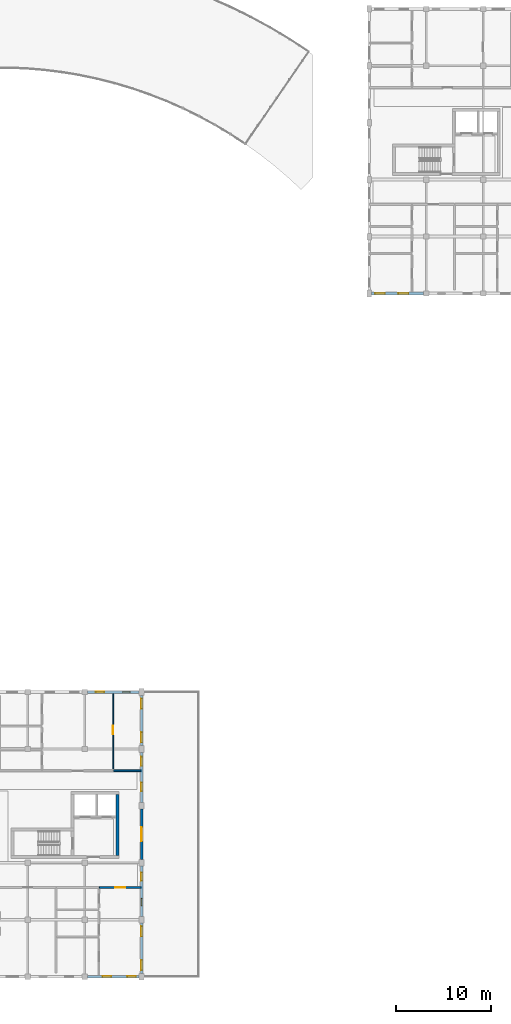
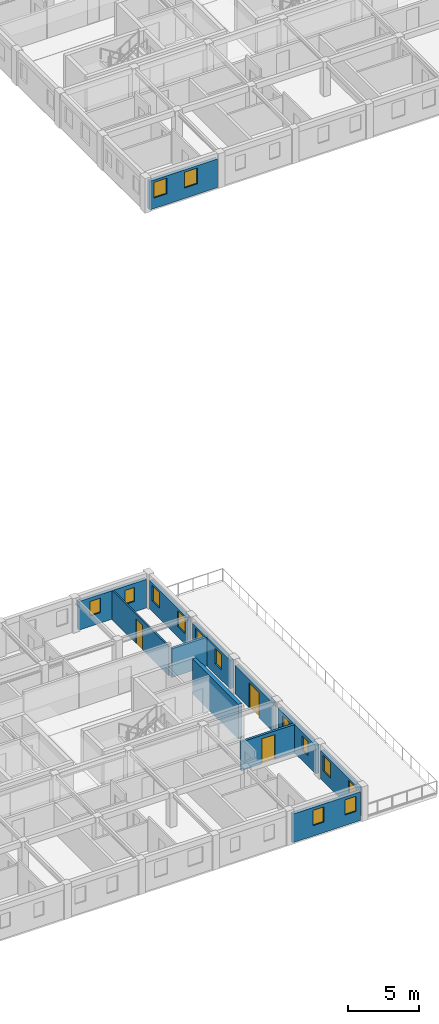
# One storey, part 39 of 58: 14 windows, 12 walls, 3 doors, 17 openings.
"""IFC4 building model written with IfcOpenShell, lengths in metres."""

from ifc_helpers import new_model, si_unit, direction, frame, frame_2d, origin, place, context, subcontext, project, spatial, rectangle, extrude, material, layer, layer_set, type_object, element, fill, save


model = new_model("IFC4")

# Units and contexts
model_context = context("Model", 3, precision=1e-05, world=origin(), true_north=direction((0.0, 1.0)))
body_context = subcontext(model_context, "Body", "Model", "MODEL_VIEW")
ifc_project = project(units=[si_unit("LENGTHUNIT", "METRE"), si_unit("AREAUNIT", "SQUARE_METRE"), si_unit("VOLUMEUNIT", "CUBIC_METRE"), si_unit("PLANEANGLEUNIT", "RADIAN"), si_unit("MASSUNIT", "GRAM", prefix="KILO"), si_unit("POWERUNIT", "WATT"), si_unit("THERMODYNAMICTEMPERATUREUNIT", "KELVIN")], contexts=[model_context])

# Site, building, storey
site_placement = place(None, origin())
site = spatial("IfcSite", under=ifc_project, at=site_placement, CompositionType="ELEMENT")
building_placement = place(site_placement, origin())
building = spatial("IfcBuilding", under=site, at=building_placement, Name="Ruvembo Vaulted Housing Court", CompositionType="ELEMENT")
storey_placement = place(building_placement, frame((0.0, 0.0, 20.5)))
storey = spatial("IfcBuildingStorey", under=building, at=storey_placement, Name="L06", CompositionType="ELEMENT", Elevation=20.5)

# Wall
ifc_material_1 = material(Name="Concrete C35/45", Category="concrete")
ifc_layer_1 = layer(ifc_material_1, 0.300048828125, Name="Concrete C35/45")
ifc_layer_set_1 = layer_set([ifc_layer_1], Name="Concrete C35/45")
wall_type_1 = type_object("IfcWallType", Name="WL-CORE-300", PredefinedType="SHEAR", material=ifc_layer_set_1)
wall_1_placement = place(storey_placement, frame((129.449951171875, 12.75, 0.0), z_axis=(0.0, 0.0, 1.0), x_axis=(0.0, 1.0, 0.0)))
element("IfcWall", 1, at=wall_1_placement, inside=storey, type_object=wall_type_1, Name="Core C2 L06 East Shear Wall", PredefinedType="SHEAR", context=body_context, shape_type="SweptSolid", body=[
    extrude(rectangle(XDim=6.449951171875, YDim=0.300048828125, at=frame_2d((3.22509765625, 0.0))), origin(), (0.0, 0.0, 1.0), 2.969970703125),
])

# Wall, opening, door
ifc_material_2 = material(Name="Concrete Blockwork 200", Category="masonry")
ifc_layer_2 = layer(ifc_material_2, 0.199951171875, Name="Concrete Blockwork 200")
ifc_layer_set_2 = layer_set([ifc_layer_2], Name="Concrete Blockwork 200")
wall_type_2 = type_object("IfcWallType", Name="WL-CORR-200", PredefinedType="SOLIDWALL", material=ifc_layer_set_2)
wall_2_placement = place(storey_placement, frame((127.5400390625, 9.39990234375, 0.0), z_axis=(0.0, 0.0, 1.0), x_axis=(1.0, 0.0, 0.0)))
wall_2 = element("IfcWall", 2, at=wall_2_placement, inside=storey, type_object=wall_type_2, Name="L06 Flat C-L06-S3 Entrance WL-INT-L06-01795", PredefinedType="SOLIDWALL", context=body_context, shape_type="SweptSolid", body=[
    extrude(rectangle(XDim=4.419921875, YDim=0.199951171875, at=frame_2d((2.2099609375, 0.0))), origin(), (0.0, 0.0, 1.0), 2.451904296875),
])
opening_1_placement = place(wall_2_placement, frame((1.68505859375, 0.0, 0.0)))
opening_1 = element("IfcOpeningElement", 3, at=opening_1_placement, cuts=wall_2, Name="Opening FD3", PredefinedType="OPENING", context=body_context, shape_type="SweptSolid", body=[
    extrude(rectangle(XDim=1.050048828125, YDim=2.14990234375, at=frame_2d((0.52490234375, 1.074951171875))), frame((0.0, 0.10986328125, 0.0), z_axis=(0.0, -1.0, 0.0), x_axis=(1.0, 0.0, 0.0)), (0.0, 0.0, 1.0), 0.219970703125),
])
ifc_material_3 = material(Name="FSC Hardwood and Engineered Timber", Category="wood")
door_type_1 = type_object("IfcDoorType", Name="DR-FLAT-1050x2150", OperationType="NOTDEFINED", PredefinedType="DOOR", material=ifc_material_3)
door_1_placement = place(opening_1_placement, origin())
door_1 = element("IfcDoor", 4, at=door_1_placement, inside=storey, type_object=door_type_1, Name="L06 Flat C-L06-S3 Entrance Door DR-INT-L06-01013", OperationType="SINGLE_SWING_LEFT", OverallHeight=2.14990234375, OverallWidth=1.050048828125, PredefinedType="DOOR", context=body_context, shape_type="SweptSolid", body=[
    extrude(rectangle(XDim=1.050048828125, YDim=2.14990234375, at=frame_2d((0.52490234375, 1.074951171875))), frame((0.0, 0.02490234375, 0.0), z_axis=(0.0, -1.0, 0.0), x_axis=(1.0, 0.0, 0.0)), (0.0, 0.0, 1.0), 0.050048828125),
])
fill(opening_1, door_1)

# Wall
wall_3_placement = place(storey_placement, frame((129.0400390625, 21.699951171875, 0.0), z_axis=(0.0, 0.0, 1.0), x_axis=(1.0, 0.0, 0.0)))
element("IfcWall", 5, at=wall_3_placement, inside=storey, type_object=wall_type_2, Name="L06 Flat C-L06-N2 Corridor Wall 2 WL-INT-L06-01818", PredefinedType="SOLIDWALL", context=body_context, shape_type="SweptSolid", body=[
    extrude(rectangle(XDim=2.919921875, YDim=0.199951171875, at=frame_2d((1.4599609375, 0.0))), origin(), (0.0, 0.0, 1.0), 2.451904296875),
])

# Wall, openings, windows
ifc_material_4 = material(Name="Rendered Masonry 270", Category="masonry")
ifc_layer_3 = layer(ifc_material_4, 0.27001953125, Name="Rendered Masonry 270")
ifc_layer_set_3 = layer_set([ifc_layer_3], Name="Rendered Masonry 270")
wall_type_3 = type_object("IfcWallType", Name="WL-EXT-270", PredefinedType="STANDARD", material=ifc_layer_set_3)
wall_4_placement = place(storey_placement, frame((126.27490234375, 0.0, 0.0), z_axis=(0.0, 0.0, 1.0), x_axis=(1.0, 0.0, 0.0)))
wall_4 = element("IfcWall", 6, at=wall_4_placement, inside=storey, type_object=wall_type_3, Name="Block C L06 Exterior Wall STREET #5", PredefinedType="STANDARD", context=body_context, shape_type="SweptSolid", body=[
    extrude(rectangle(XDim=5.47509765625, YDim=0.27001953125, at=frame_2d((2.737548828125, 0.0))), origin(), (0.0, 0.0, 1.0), 2.451904296875),
])
opening_2_placement = place(wall_4_placement, frame((1.614990234375, 0.0, 0.89990234375)))
opening_2 = element("IfcOpeningElement", 7, at=opening_2_placement, cuts=wall_4, Name="Opening W04", PredefinedType="OPENING", context=body_context, shape_type="SweptSolid", body=[
    extrude(rectangle(XDim=0.89990234375, YDim=1.300048828125, at=frame_2d((0.449951171875, 0.64990234375))), frame((0.0, 0.14501953125, 0.0), z_axis=(0.0, -1.0, 0.0), x_axis=(1.0, 0.0, 0.0)), (0.0, 0.0, 1.0), 0.2900390625),
])
opening_3_placement = place(wall_4_placement, frame((4.22509765625, 0.0, 0.89990234375)))
opening_3 = element("IfcOpeningElement", 8, at=opening_3_placement, cuts=wall_4, Name="Opening W04", PredefinedType="OPENING", context=body_context, shape_type="SweptSolid", body=[
    extrude(rectangle(XDim=0.89990234375, YDim=1.300048828125, at=frame_2d((0.449951171875, 0.64990234375))), frame((0.0, 0.14501953125, 0.0), z_axis=(0.0, -1.0, 0.0), x_axis=(1.0, 0.0, 0.0)), (0.0, 0.0, 1.0), 0.2900390625),
])
ifc_material_5 = material(Name="Double Solar-Control Glazing in Aluminium Frame", Category="aluminium")
window_type_1 = type_object("IfcWindowType", Name="WIN-0900x1300", PartitioningType="SINGLE_PANEL", PredefinedType="WINDOW", material=ifc_material_5)
window_1_placement = place(opening_2_placement, origin())
window_1 = element("IfcWindow", 9, at=window_1_placement, inside=storey, type_object=window_type_1, Name="Block C L06 Window #1334", OverallHeight=1.300048828125, OverallWidth=0.89990234375, PartitioningType="SINGLE_PANEL", PredefinedType="WINDOW", context=body_context, shape_type="SweptSolid", body=[
    extrude(rectangle(XDim=0.89990234375, YDim=1.300048828125, at=frame_2d((0.449951171875, 0.64990234375))), frame((0.0, 0.030029296875, 0.0), z_axis=(0.0, -1.0, 0.0), x_axis=(1.0, 0.0, 0.0)), (0.0, 0.0, 1.0), 0.06005859375),
])
fill(opening_2, window_1)
window_2_placement = place(opening_3_placement, origin())
window_2 = element("IfcWindow", 10, at=window_2_placement, inside=storey, type_object=window_type_1, Name="Block C L06 Window #1335", OverallHeight=1.300048828125, OverallWidth=0.89990234375, PartitioningType="SINGLE_PANEL", PredefinedType="WINDOW", context=body_context, shape_type="SweptSolid", body=[
    extrude(rectangle(XDim=0.89990234375, YDim=1.300048828125, at=frame_2d((0.449951171875, 0.64990234375))), frame((0.0, 0.030029296875, 0.0), z_axis=(0.0, -1.0, 0.0), x_axis=(1.0, 0.0, 0.0)), (0.0, 0.0, 1.0), 0.06005859375),
])
fill(opening_3, window_2)

wall_5_placement = place(storey_placement, frame((132.0, 0.35009765625, 0.0), z_axis=(0.0, 0.0, 1.0), x_axis=(0.0, 1.0, 0.0)))
wall_5 = element("IfcWall", 11, at=wall_5_placement, inside=storey, type_object=wall_type_3, Name="Block C L06 Exterior Wall EAST #1", PredefinedType="STANDARD", context=body_context, shape_type="SweptSolid", body=[
    extrude(rectangle(XDim=5.2998046875, YDim=0.27001953125, at=frame_2d((2.64990234375, 0.0))), origin(), (0.0, 0.0, 1.0), 2.451904296875),
])
opening_4_placement = place(wall_5_placement, frame((0.35009765625, 0.0, 0.89990234375)))
opening_4 = element("IfcOpeningElement", 12, at=opening_4_placement, cuts=wall_5, Name="Opening W09", PredefinedType="OPENING", context=body_context, shape_type="SweptSolid", body=[
    extrude(rectangle(XDim=1.050048828125, YDim=1.35009765625, at=frame_2d((0.52490234375, 0.675048828125))), frame((0.0, 0.14501953125, 0.0), z_axis=(0.0, -1.0, 0.0), x_axis=(1.0, 0.0, 0.0)), (0.0, 0.0, 1.0), 0.2900390625),
])
opening_5_placement = place(wall_5_placement, frame((3.89990234375, 0.0, 0.89990234375)))
opening_5 = element("IfcOpeningElement", 13, at=opening_5_placement, cuts=wall_5, Name="Opening W09", PredefinedType="OPENING", context=body_context, shape_type="SweptSolid", body=[
    extrude(rectangle(XDim=1.050048828125, YDim=1.35009765625, at=frame_2d((0.52490234375, 0.675048828125))), frame((0.0, 0.14501953125, 0.0), z_axis=(0.0, -1.0, 0.0), x_axis=(1.0, 0.0, 0.0)), (0.0, 0.0, 1.0), 0.2900390625),
])
window_type_2 = type_object("IfcWindowType", Name="WIN-1050x1350", PartitioningType="SINGLE_PANEL", PredefinedType="WINDOW", material=ifc_material_5)
window_3_placement = place(opening_4_placement, origin())
window_3 = element("IfcWindow", 14, at=window_3_placement, inside=storey, type_object=window_type_2, Name="Block C L06 Window #1336", OverallHeight=1.35009765625, OverallWidth=1.050048828125, PartitioningType="SINGLE_PANEL", PredefinedType="WINDOW", context=body_context, shape_type="SweptSolid", body=[
    extrude(rectangle(XDim=1.050048828125, YDim=1.35009765625, at=frame_2d((0.52490234375, 0.675048828125))), frame((0.0, 0.030029296875, 0.0), z_axis=(0.0, -1.0, 0.0), x_axis=(1.0, 0.0, 0.0)), (0.0, 0.0, 1.0), 0.06005859375),
])
fill(opening_4, window_3)
window_4_placement = place(opening_5_placement, origin())
window_4 = element("IfcWindow", 15, at=window_4_placement, inside=storey, type_object=window_type_2, Name="Block C L06 Window #1337", OverallHeight=1.35009765625, OverallWidth=1.050048828125, PartitioningType="SINGLE_PANEL", PredefinedType="WINDOW", context=body_context, shape_type="SweptSolid", body=[
    extrude(rectangle(XDim=1.050048828125, YDim=1.35009765625, at=frame_2d((0.52490234375, 0.675048828125))), frame((0.0, 0.030029296875, 0.0), z_axis=(0.0, -1.0, 0.0), x_axis=(1.0, 0.0, 0.0)), (0.0, 0.0, 1.0), 0.06005859375),
])
fill(opening_5, window_4)

wall_6_placement = place(storey_placement, frame((132.0, 6.35009765625, 0.0), z_axis=(0.0, 0.0, 1.0), x_axis=(0.0, 1.0, 0.0)))
wall_6 = element("IfcWall", 16, at=wall_6_placement, inside=storey, type_object=wall_type_3, Name="Block C L06 Exterior Wall EAST #2", PredefinedType="STANDARD", context=body_context, shape_type="SweptSolid", body=[
    extrude(rectangle(XDim=5.2998046875, YDim=0.27001953125, at=frame_2d((2.64990234375, 0.0))), origin(), (0.0, 0.0, 1.0), 2.451904296875),
])
opening_6_placement = place(wall_6_placement, frame((1.10498046875, 0.0, 0.89990234375)))
opening_6 = element("IfcOpeningElement", 17, at=opening_6_placement, cuts=wall_6, Name="Opening W02", PredefinedType="OPENING", context=body_context, shape_type="SweptSolid", body=[
    extrude(rectangle(XDim=0.800048828125, YDim=1.199951171875, at=frame_2d((0.39990234375, 0.60009765625))), frame((0.0, 0.14501953125, 0.0), z_axis=(0.0, -1.0, 0.0), x_axis=(1.0, 0.0, 0.0)), (0.0, 0.0, 1.0), 0.2900390625),
])
opening_7_placement = place(wall_6_placement, frame((3.77001953125, 0.0, 0.89990234375)))
opening_7 = element("IfcOpeningElement", 18, at=opening_7_placement, cuts=wall_6, Name="Opening W03", PredefinedType="OPENING", context=body_context, shape_type="SweptSolid", body=[
    extrude(rectangle(XDim=0.85009765625, YDim=1.25, at=frame_2d((0.425048828125, 0.625))), frame((0.0, 0.14501953125, 0.0), z_axis=(0.0, -1.0, 0.0), x_axis=(1.0, 0.0, 0.0)), (0.0, 0.0, 1.0), 0.2900390625),
])
window_type_3 = type_object("IfcWindowType", Name="WIN-0800x1200", PartitioningType="SINGLE_PANEL", PredefinedType="WINDOW", material=ifc_material_5)
window_5_placement = place(opening_6_placement, origin())
window_5 = element("IfcWindow", 19, at=window_5_placement, inside=storey, type_object=window_type_3, Name="Block C L06 Window #1338", OverallHeight=1.199951171875, OverallWidth=0.800048828125, PartitioningType="SINGLE_PANEL", PredefinedType="WINDOW", context=body_context, shape_type="SweptSolid", body=[
    extrude(rectangle(XDim=0.800048828125, YDim=1.199951171875, at=frame_2d((0.39990234375, 0.60009765625))), frame((0.0, 0.030029296875, 0.0), z_axis=(0.0, -1.0, 0.0), x_axis=(1.0, 0.0, 0.0)), (0.0, 0.0, 1.0), 0.06005859375),
])
fill(opening_6, window_5)
window_type_4 = type_object("IfcWindowType", Name="WIN-0850x1250", PartitioningType="SINGLE_PANEL", PredefinedType="WINDOW", material=ifc_material_5)
window_6_placement = place(opening_7_placement, origin())
window_6 = element("IfcWindow", 20, at=window_6_placement, inside=storey, type_object=window_type_4, Name="Block C L06 Window #1339", OverallHeight=1.25, OverallWidth=0.85009765625, PartitioningType="SINGLE_PANEL", PredefinedType="WINDOW", context=body_context, shape_type="SweptSolid", body=[
    extrude(rectangle(XDim=0.85009765625, YDim=1.25, at=frame_2d((0.425048828125, 0.625))), frame((0.0, 0.030029296875, 0.0), z_axis=(0.0, -1.0, 0.0), x_axis=(1.0, 0.0, 0.0)), (0.0, 0.0, 1.0), 0.06005859375),
])
fill(opening_7, window_6)

# Wall, opening, door
wall_7_placement = place(storey_placement, frame((132.0, 12.35009765625, 0.0), z_axis=(0.0, 0.0, 1.0), x_axis=(0.0, 1.0, 0.0)))
wall_7 = element("IfcWall", 21, at=wall_7_placement, inside=storey, type_object=wall_type_3, Name="Block C L06 Exterior Wall EAST #3", PredefinedType="STANDARD", context=body_context, shape_type="SweptSolid", body=[
    extrude(rectangle(XDim=5.2998046875, YDim=0.27001953125, at=frame_2d((2.64990234375, 0.0))), origin(), (0.0, 0.0, 1.0), 2.451904296875),
])
opening_8_placement = place(wall_7_placement, frame((1.925048828125, 0.0, 0.0)))
opening_8 = element("IfcOpeningElement", 22, at=opening_8_placement, cuts=wall_7, Name="Opening TD0", PredefinedType="OPENING", context=body_context, shape_type="SweptSolid", body=[
    extrude(rectangle(XDim=1.449951171875, YDim=2.14990234375, at=frame_2d((0.72509765625, 1.074951171875))), frame((0.0, 0.14501953125, 0.0), z_axis=(0.0, -1.0, 0.0), x_axis=(1.0, 0.0, 0.0)), (0.0, 0.0, 1.0), 0.2900390625),
])
ifc_material_6 = material(Name="Thermally Broken Glazed Aluminium", Category="aluminium")
door_type_2 = type_object("IfcDoorType", Name="DR-TER-1450x2150", OperationType="NOTDEFINED", PredefinedType="DOOR", material=ifc_material_6)
door_2_placement = place(opening_8_placement, frame((1.449951171875, 0.0, 0.0), z_axis=(0.0, 0.0, 1.0), x_axis=(-1.0, 0.0, 0.0)))
door_2 = element("IfcDoor", 23, at=door_2_placement, inside=storey, type_object=door_type_2, Name="Block C L06 Terrace or Gallery Door DR-TER-C-L06-065", OperationType="SINGLE_SWING_RIGHT", OverallHeight=2.14990234375, OverallWidth=1.449951171875, PredefinedType="DOOR", context=body_context, shape_type="SweptSolid", body=[
    extrude(rectangle(XDim=1.449951171875, YDim=2.14990234375, at=frame_2d((0.72509765625, 1.074951171875))), frame((0.0, 0.02490234375, 0.0), z_axis=(0.0, -1.0, 0.0), x_axis=(1.0, 0.0, 0.0)), (0.0, 0.0, 1.0), 0.050048828125),
])
fill(opening_8, door_2)

# Wall, openings, windows
wall_8_placement = place(storey_placement, frame((132.0, 18.35009765625, 0.0), z_axis=(0.0, 0.0, 1.0), x_axis=(0.0, 1.0, 0.0)))
wall_8 = element("IfcWall", 24, at=wall_8_placement, inside=storey, type_object=wall_type_3, Name="Block C L06 Exterior Wall EAST #4", PredefinedType="STANDARD", context=body_context, shape_type="SweptSolid", body=[
    extrude(rectangle(XDim=5.2998046875, YDim=0.27001953125, at=frame_2d((2.64990234375, 0.0))), origin(), (0.0, 0.0, 1.0), 2.451904296875),
])
opening_9_placement = place(wall_8_placement, frame((1.205078125, 0.0, 0.89990234375)))
opening_9 = element("IfcOpeningElement", 25, at=opening_9_placement, cuts=wall_8, Name="Opening W04", PredefinedType="OPENING", context=body_context, shape_type="SweptSolid", body=[
    extrude(rectangle(XDim=0.89990234375, YDim=1.300048828125, at=frame_2d((0.449951171875, 0.64990234375))), frame((0.0, 0.14501953125, 0.0), z_axis=(0.0, -1.0, 0.0), x_axis=(1.0, 0.0, 0.0)), (0.0, 0.0, 1.0), 0.2900390625),
])
opening_10_placement = place(wall_8_placement, frame((3.8701171875, 0.0, 0.89990234375)))
opening_10 = element("IfcOpeningElement", 26, at=opening_10_placement, cuts=wall_8, Name="Opening W07", PredefinedType="OPENING", context=body_context, shape_type="SweptSolid", body=[
    extrude(rectangle(XDim=0.949951171875, YDim=1.35009765625, at=frame_2d((0.47509765625, 0.675048828125))), frame((0.0, 0.14501953125, 0.0), z_axis=(0.0, -1.0, 0.0), x_axis=(1.0, 0.0, 0.0)), (0.0, 0.0, 1.0), 0.2900390625),
])
window_7_placement = place(opening_9_placement, origin())
window_7 = element("IfcWindow", 27, at=window_7_placement, inside=storey, type_object=window_type_1, Name="Block C L06 Window #1340", OverallHeight=1.300048828125, OverallWidth=0.89990234375, PartitioningType="SINGLE_PANEL", PredefinedType="WINDOW", context=body_context, shape_type="SweptSolid", body=[
    extrude(rectangle(XDim=0.89990234375, YDim=1.300048828125, at=frame_2d((0.449951171875, 0.64990234375))), frame((0.0, 0.030029296875, 0.0), z_axis=(0.0, -1.0, 0.0), x_axis=(1.0, 0.0, 0.0)), (0.0, 0.0, 1.0), 0.06005859375),
])
fill(opening_9, window_7)
window_type_5 = type_object("IfcWindowType", Name="WIN-0950x1350", PartitioningType="SINGLE_PANEL", PredefinedType="WINDOW", material=ifc_material_5)
window_8_placement = place(opening_10_placement, origin())
window_8 = element("IfcWindow", 28, at=window_8_placement, inside=storey, type_object=window_type_5, Name="Block C L06 Window #1341", OverallHeight=1.35009765625, OverallWidth=0.949951171875, PartitioningType="SINGLE_PANEL", PredefinedType="WINDOW", context=body_context, shape_type="SweptSolid", body=[
    extrude(rectangle(XDim=0.949951171875, YDim=1.35009765625, at=frame_2d((0.47509765625, 0.675048828125))), frame((0.0, 0.030029296875, 0.0), z_axis=(0.0, -1.0, 0.0), x_axis=(1.0, 0.0, 0.0)), (0.0, 0.0, 1.0), 0.06005859375),
])
fill(opening_10, window_8)

wall_9_placement = place(storey_placement, frame((132.0, 24.35009765625, 0.0), z_axis=(0.0, 0.0, 1.0), x_axis=(0.0, 1.0, 0.0)))
wall_9 = element("IfcWall", 29, at=wall_9_placement, inside=storey, type_object=wall_type_3, Name="Block C L06 Exterior Wall EAST #5", PredefinedType="STANDARD", context=body_context, shape_type="SweptSolid", body=[
    extrude(rectangle(XDim=5.2998046875, YDim=0.27001953125, at=frame_2d((2.64990234375, 0.0))), origin(), (0.0, 0.0, 1.0), 2.451904296875),
])
opening_11_placement = place(wall_9_placement, frame((0.35009765625, 0.0, 0.89990234375)))
opening_11 = element("IfcOpeningElement", 30, at=opening_11_placement, cuts=wall_9, Name="Opening W09", PredefinedType="OPENING", context=body_context, shape_type="SweptSolid", body=[
    extrude(rectangle(XDim=1.050048828125, YDim=1.35009765625, at=frame_2d((0.52490234375, 0.675048828125))), frame((0.0, 0.14501953125, 0.0), z_axis=(0.0, -1.0, 0.0), x_axis=(1.0, 0.0, 0.0)), (0.0, 0.0, 1.0), 0.2900390625),
])
opening_12_placement = place(wall_9_placement, frame((3.89990234375, 0.0, 0.89990234375)))
opening_12 = element("IfcOpeningElement", 31, at=opening_12_placement, cuts=wall_9, Name="Opening W09", PredefinedType="OPENING", context=body_context, shape_type="SweptSolid", body=[
    extrude(rectangle(XDim=1.050048828125, YDim=1.35009765625, at=frame_2d((0.52490234375, 0.675048828125))), frame((0.0, 0.14501953125, 0.0), z_axis=(0.0, -1.0, 0.0), x_axis=(1.0, 0.0, 0.0)), (0.0, 0.0, 1.0), 0.2900390625),
])
window_9_placement = place(opening_11_placement, origin())
window_9 = element("IfcWindow", 32, at=window_9_placement, inside=storey, type_object=window_type_2, Name="Block C L06 Window #1342", OverallHeight=1.35009765625, OverallWidth=1.050048828125, PartitioningType="SINGLE_PANEL", PredefinedType="WINDOW", context=body_context, shape_type="SweptSolid", body=[
    extrude(rectangle(XDim=1.050048828125, YDim=1.35009765625, at=frame_2d((0.52490234375, 0.675048828125))), frame((0.0, 0.030029296875, 0.0), z_axis=(0.0, -1.0, 0.0), x_axis=(1.0, 0.0, 0.0)), (0.0, 0.0, 1.0), 0.06005859375),
])
fill(opening_11, window_9)
window_10_placement = place(opening_12_placement, origin())
window_10 = element("IfcWindow", 33, at=window_10_placement, inside=storey, type_object=window_type_2, Name="Block C L06 Window #1343", OverallHeight=1.35009765625, OverallWidth=1.050048828125, PartitioningType="SINGLE_PANEL", PredefinedType="WINDOW", context=body_context, shape_type="SweptSolid", body=[
    extrude(rectangle(XDim=1.050048828125, YDim=1.35009765625, at=frame_2d((0.52490234375, 0.675048828125))), frame((0.0, 0.030029296875, 0.0), z_axis=(0.0, -1.0, 0.0), x_axis=(1.0, 0.0, 0.0)), (0.0, 0.0, 1.0), 0.06005859375),
])
fill(opening_12, window_10)

wall_10_placement = place(storey_placement, frame((131.75, 30.0, 0.0), z_axis=(0.0, 0.0, 1.0), x_axis=(-1.0, 0.0, 0.0)))
wall_10 = element("IfcWall", 34, at=wall_10_placement, inside=storey, type_object=wall_type_3, Name="Block C L06 Exterior Wall COURTYARD #1", PredefinedType="STANDARD", context=body_context, shape_type="SweptSolid", body=[
    extrude(rectangle(XDim=5.47509765625, YDim=0.27001953125, at=frame_2d((2.737548828125, 0.0))), origin(), (0.0, 0.0, 1.0), 2.451904296875),
])
opening_13_placement = place(wall_10_placement, frame((0.955078125, 0.0, 0.89990234375)))
opening_13 = element("IfcOpeningElement", 35, at=opening_13_placement, cuts=wall_10, Name="Opening W02", PredefinedType="OPENING", context=body_context, shape_type="SweptSolid", body=[
    extrude(rectangle(XDim=0.800048828125, YDim=1.199951171875, at=frame_2d((0.39990234375, 0.60009765625))), frame((0.0, 0.14501953125, 0.0), z_axis=(0.0, -1.0, 0.0), x_axis=(1.0, 0.0, 0.0)), (0.0, 0.0, 1.0), 0.2900390625),
])
opening_14_placement = place(wall_10_placement, frame((3.70751953125, 0.0, 0.89990234375)))
opening_14 = element("IfcOpeningElement", 36, at=opening_14_placement, cuts=wall_10, Name="Opening W03", PredefinedType="OPENING", context=body_context, shape_type="SweptSolid", body=[
    extrude(rectangle(XDim=0.85009765625, YDim=1.25, at=frame_2d((0.425048828125, 0.625))), frame((0.0, 0.14501953125, 0.0), z_axis=(0.0, -1.0, 0.0), x_axis=(1.0, 0.0, 0.0)), (0.0, 0.0, 1.0), 0.2900390625),
])
window_11_placement = place(opening_13_placement, origin())
window_11 = element("IfcWindow", 37, at=window_11_placement, inside=storey, type_object=window_type_3, Name="Block C L06 Window #1344", OverallHeight=1.199951171875, OverallWidth=0.800048828125, PartitioningType="SINGLE_PANEL", PredefinedType="WINDOW", context=body_context, shape_type="SweptSolid", body=[
    extrude(rectangle(XDim=0.800048828125, YDim=1.199951171875, at=frame_2d((0.39990234375, 0.60009765625))), frame((0.0, 0.030029296875, 0.0), z_axis=(0.0, -1.0, 0.0), x_axis=(1.0, 0.0, 0.0)), (0.0, 0.0, 1.0), 0.06005859375),
])
fill(opening_13, window_11)
window_12_placement = place(opening_14_placement, origin())
window_12 = element("IfcWindow", 38, at=window_12_placement, inside=storey, type_object=window_type_4, Name="Block C L06 Window #1345", OverallHeight=1.25, OverallWidth=0.85009765625, PartitioningType="SINGLE_PANEL", PredefinedType="WINDOW", context=body_context, shape_type="SweptSolid", body=[
    extrude(rectangle(XDim=0.85009765625, YDim=1.25, at=frame_2d((0.425048828125, 0.625))), frame((0.0, 0.030029296875, 0.0), z_axis=(0.0, -1.0, 0.0), x_axis=(1.0, 0.0, 0.0)), (0.0, 0.0, 1.0), 0.06005859375),
])
fill(opening_14, window_12)

wall_11_placement = place(storey_placement, frame((156.25, 72.0, 0.0), z_axis=(0.0, 0.0, 1.0), x_axis=(1.0, 0.0, 0.0)))
wall_11 = element("IfcWall", 39, at=wall_11_placement, inside=storey, type_object=wall_type_3, Name="Block D L06 Exterior Wall COURTYARD #1", PredefinedType="STANDARD", context=body_context, shape_type="SweptSolid", body=[
    extrude(rectangle(XDim=5.47509765625, YDim=0.27001953125, at=frame_2d((2.737548828125, 0.0))), origin(), (0.0, 0.0, 1.0), 2.451904296875),
])
opening_15_placement = place(wall_11_placement, frame((0.35009765625, 0.0, 0.89990234375)))
opening_15 = element("IfcOpeningElement", 40, at=opening_15_placement, cuts=wall_11, Name="Opening W09", PredefinedType="OPENING", context=body_context, shape_type="SweptSolid", body=[
    extrude(rectangle(XDim=1.050048828125, YDim=1.35009765625, at=frame_2d((0.52490234375, 0.675048828125))), frame((0.0, 0.14501953125, 0.0), z_axis=(0.0, -1.0, 0.0), x_axis=(1.0, 0.0, 0.0)), (0.0, 0.0, 1.0), 0.2900390625),
])
opening_16_placement = place(wall_11_placement, frame((2.81005859375, 0.0, 0.89990234375)))
opening_16 = element("IfcOpeningElement", 41, at=opening_16_placement, cuts=wall_11, Name="Opening W09", PredefinedType="OPENING", context=body_context, shape_type="SweptSolid", body=[
    extrude(rectangle(XDim=1.050048828125, YDim=1.35009765625, at=frame_2d((0.52490234375, 0.675048828125))), frame((0.0, 0.14501953125, 0.0), z_axis=(0.0, -1.0, 0.0), x_axis=(1.0, 0.0, 0.0)), (0.0, 0.0, 1.0), 0.2900390625),
])
window_13_placement = place(opening_15_placement, origin())
window_13 = element("IfcWindow", 42, at=window_13_placement, inside=storey, type_object=window_type_2, Name="Block D L06 Window #1702", OverallHeight=1.35009765625, OverallWidth=1.050048828125, PartitioningType="SINGLE_PANEL", PredefinedType="WINDOW", context=body_context, shape_type="SweptSolid", body=[
    extrude(rectangle(XDim=1.050048828125, YDim=1.35009765625, at=frame_2d((0.52490234375, 0.675048828125))), frame((0.0, 0.030029296875, 0.0), z_axis=(0.0, -1.0, 0.0), x_axis=(1.0, 0.0, 0.0)), (0.0, 0.0, 1.0), 0.06005859375),
])
fill(opening_15, window_13)
window_14_placement = place(opening_16_placement, origin())
window_14 = element("IfcWindow", 43, at=window_14_placement, inside=storey, type_object=window_type_2, Name="Block D L06 Window #1703", OverallHeight=1.35009765625, OverallWidth=1.050048828125, PartitioningType="SINGLE_PANEL", PredefinedType="WINDOW", context=body_context, shape_type="SweptSolid", body=[
    extrude(rectangle(XDim=1.050048828125, YDim=1.35009765625, at=frame_2d((0.52490234375, 0.675048828125))), frame((0.0, 0.030029296875, 0.0), z_axis=(0.0, -1.0, 0.0), x_axis=(1.0, 0.0, 0.0)), (0.0, 0.0, 1.0), 0.06005859375),
])
fill(opening_16, window_14)

# Wall, opening, door
ifc_material_7 = material(Name="Plasterboard Stud Partition 125", Category="gypsum")
ifc_layer_4 = layer(ifc_material_7, 0.125, Name="Plasterboard Stud Partition 125")
ifc_layer_set_4 = layer_set([ifc_layer_4], Name="Plasterboard Stud Partition 125")
wall_type_4 = type_object("IfcWallType", Name="WL-PART-125", PredefinedType="PARTITIONING", material=ifc_layer_set_4)
wall_12_placement = place(storey_placement, frame((129.0, 21.889892578125, 0.0), z_axis=(0.0, 0.0, 1.0), x_axis=(0.0, 1.0, 0.0)))
wall_12 = element("IfcWall", 44, at=wall_12_placement, inside=storey, type_object=wall_type_4, Name="L06 Flat C-L06-N2 Bedroom 2 WL-INT-L06-01819", PredefinedType="PARTITIONING", context=body_context, shape_type="SweptSolid", body=[
    extrude(rectangle(XDim=7.920166015625, YDim=0.125, at=frame_2d((3.9599609375, 0.0))), origin(), (0.0, 0.0, 1.0), 2.508056640625),
])
opening_17_placement = place(wall_12_placement, frame((3.64990234375, 0.0, 0.0)))
opening_17 = element("IfcOpeningElement", 45, at=opening_17_placement, cuts=wall_12, Name="Opening ID1", PredefinedType="OPENING", context=body_context, shape_type="SweptSolid", body=[
    extrude(rectangle(XDim=0.89990234375, YDim=2.10009765625, at=frame_2d((0.449951171875, 1.050048828125))), frame((0.0, 0.072509765625, 0.0), z_axis=(0.0, -1.0, 0.0), x_axis=(1.0, 0.0, 0.0)), (0.0, 0.0, 1.0), 0.14501953125),
])
door_type_3 = type_object("IfcDoorType", Name="DR-ROOM-0900x2100", OperationType="NOTDEFINED", PredefinedType="DOOR", material=ifc_material_3)
door_3_placement = place(opening_17_placement, origin())
door_3 = element("IfcDoor", 46, at=door_3_placement, inside=storey, type_object=door_type_3, Name="L06 Flat C-L06-N2 Bedroom 2 Door DR-INT-L06-01026", OperationType="SINGLE_SWING_RIGHT", OverallHeight=2.10009765625, OverallWidth=0.89990234375, PredefinedType="DOOR", context=body_context, shape_type="SweptSolid", body=[
    extrude(rectangle(XDim=0.89990234375, YDim=2.10009765625, at=frame_2d((0.449951171875, 1.050048828125))), frame((0.0, 0.02490234375, 0.0), z_axis=(0.0, -1.0, 0.0), x_axis=(1.0, 0.0, 0.0)), (0.0, 0.0, 1.0), 0.050048828125),
])
fill(opening_17, door_3)

save(model, "model.ifc")
